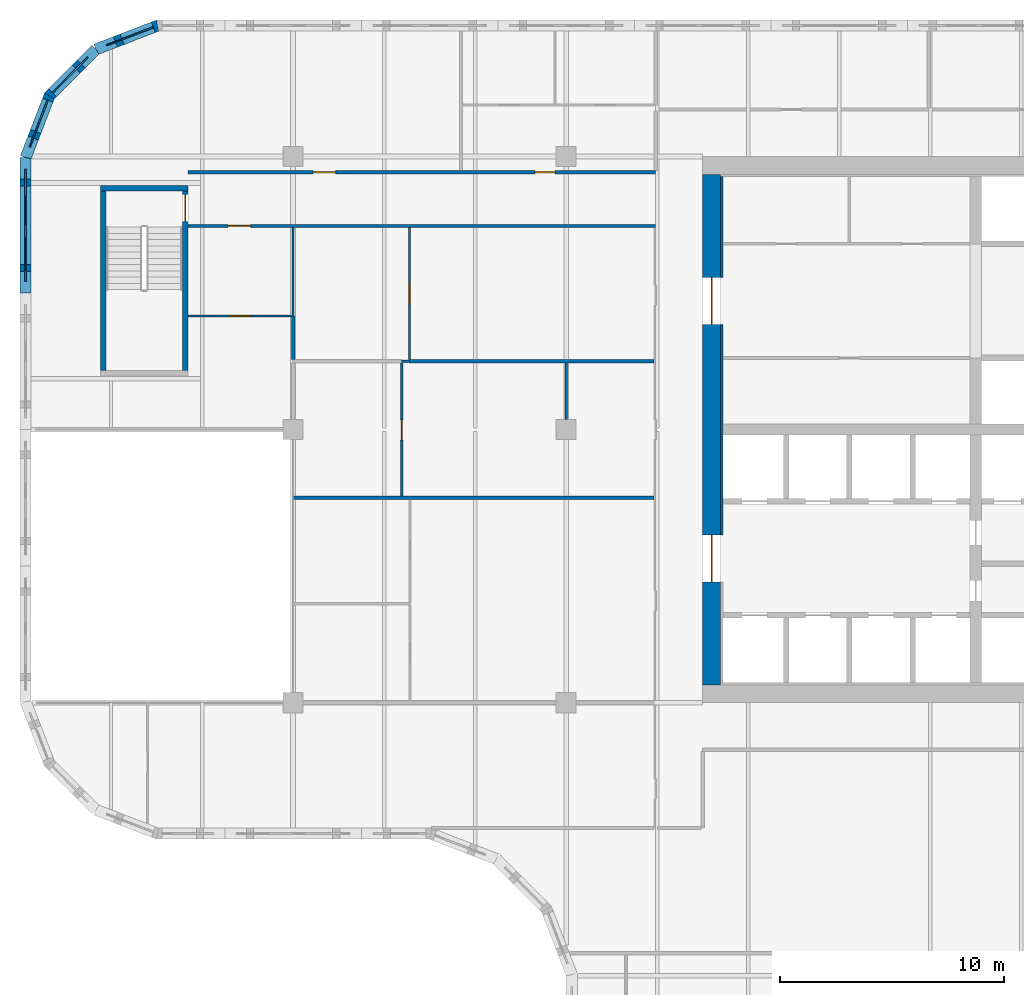
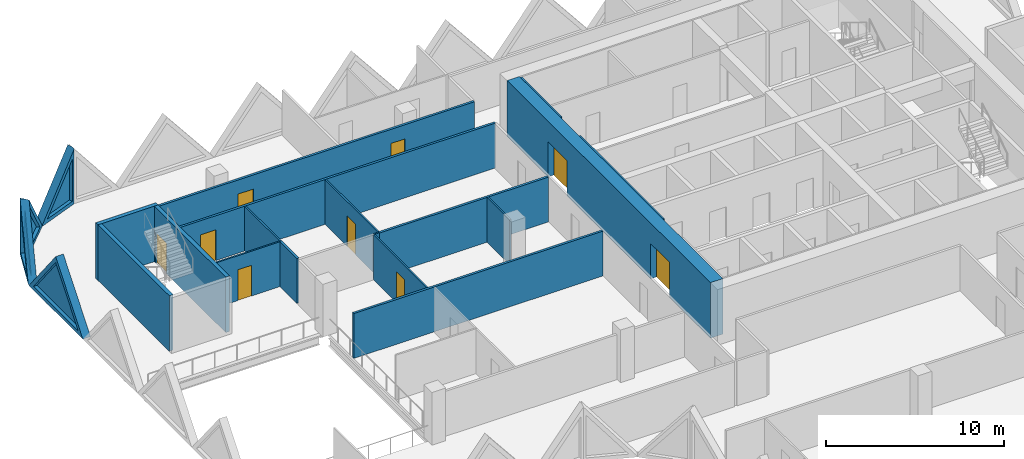
# One storey, part 8 of 19: 21 walls, 9 doors, 4 plates, 13 openings.
"""IFC4 building model written with IfcOpenShell, lengths in metres."""

from ifc_helpers import new_model, si_unit, direction, frame, frame_2d, origin, place, context, subcontext, project, spatial, polyline, rectangle, outline, extrude, faceted_brep, source, transform, mapped, material, layer, layer_set, type_object, element, fill, save


model = new_model("IFC4")

# Units and contexts
model_context = context("Model", 3, precision=1e-05, world=origin(), true_north=direction((0.0, 1.0)))
body_context = subcontext(model_context, "Body", "Model", "MODEL_VIEW")
ifc_project = project(units=[si_unit("LENGTHUNIT", "METRE"), si_unit("AREAUNIT", "SQUARE_METRE"), si_unit("VOLUMEUNIT", "CUBIC_METRE"), si_unit("PLANEANGLEUNIT", "RADIAN"), si_unit("MASSUNIT", "GRAM", prefix="KILO")], contexts=[model_context])

# Site, building, storey
site_placement = place(None, origin())
site = spatial("IfcSite", under=ifc_project, at=site_placement, CompositionType="ELEMENT")
building_placement = place(site_placement, origin())
building = spatial("IfcBuilding", under=site, at=building_placement, Name="Tessera Gate Towers", CompositionType="ELEMENT")
storey_placement = place(building_placement, frame((0.0, 0.0, 68.60009765625)))
storey = spatial("IfcBuildingStorey", under=building, at=storey_placement, Name="L16", CompositionType="ELEMENT", Elevation=68.60009765625)

# Walls
ifc_material_1 = material(Name="Concrete C40/50", Category="concrete")
ifc_layer_1 = layer(ifc_material_1, 0.25)
ifc_layer_set_1 = layer_set([ifc_layer_1], Name="CORE ENCLOSURE WALL 250")
wall_type_1 = type_object("IfcWallType", Name="CORE ENCLOSURE WALL 250", PredefinedType="SOLIDWALL", material=ifc_layer_set_1)
wall_1_placement = place(storey_placement, frame((3.72509765625, 39.25, 0.0), z_axis=(0.0, 0.0, 1.0), x_axis=(0.0, 1.0, 0.0)))
element("IfcWall", 1, at=wall_1_placement, inside=storey, type_object=wall_type_1, Name="L16 ST3 enclosure wall", PredefinedType="SOLIDWALL", context=body_context, shape_type="SweptSolid", body=[
    extrude(rectangle(XDim=8.0, YDim=0.25, at=frame_2d((4.0, 0.0))), origin(), (0.0, 0.0, 1.0), 3.7998046875),
])
wall_2_placement = place(storey_placement, frame((3.60009765625, 47.375, 0.0), z_axis=(0.0, 0.0, 1.0), x_axis=(1.0, 0.0, 0.0)))
element("IfcWall", 2, at=wall_2_placement, inside=storey, type_object=wall_type_1, Name="L16 ST3 enclosure wall", PredefinedType="SOLIDWALL", context=body_context, shape_type="SweptSolid", body=[
    extrude(rectangle(XDim=3.89990234375, YDim=0.25, at=frame_2d((1.949951171875, 0.0))), origin(), (0.0, 0.0, 1.0), 3.7998046875),
])

# Wall, opening, door
wall_3_placement = place(storey_placement, frame((7.375, 47.25, 0.0), z_axis=(0.0, 0.0, 1.0), x_axis=(0.0, -1.0, 0.0)))
wall_3 = element("IfcWall", 3, at=wall_3_placement, inside=storey, type_object=wall_type_1, Name="L16 ST3 enclosure wall", PredefinedType="SOLIDWALL", context=body_context, shape_type="SweptSolid", body=[
    extrude(rectangle(XDim=8.0, YDim=0.25, at=frame_2d((4.0, 0.0))), origin(), (0.0, 0.0, 1.0), 3.7998046875),
])
shared_shape_1 = source(origin(), body_context, "Body", "SweptSolid", [
    extrude(rectangle(XDim=1.199951171875, YDim=2.10009765625, at=frame_2d((0.60009765625, 1.050048828125))), frame((0.0, 0.135009765625, 0.0), z_axis=(0.0, -1.0, 0.0), x_axis=(1.0, 0.0, 0.0)), (0.0, 0.0, 1.0), 0.27001953125),
])
opening_1_placement = place(wall_3_placement, frame((0.14990234375, 0.0, 0.0)))
opening_1 = element("IfcOpeningElement", 4, at=opening_1_placement, cuts=wall_3, Name="Opening SD-ST3-1", PredefinedType="OPENING", context=body_context, shape_type="MappedRepresentation", body=[
    mapped(shared_shape_1, transform((0.0, 0.0, 0.0), scale=1.0)),
])
ifc_material_2 = material(Name="Hollow steel fire door", Category="steel")
door_type_1 = type_object("IfcDoorType", Name="CORE DOOR SD 1200x2100", OperationType="NOTDEFINED", PredefinedType="DOOR", material=ifc_material_2)
shared_shape_2 = source(origin(), body_context, "Body", "SweptSolid", [
    extrude(rectangle(XDim=1.199951171875, YDim=2.10009765625, at=frame_2d((0.60009765625, 1.050048828125))), frame((0.0, 0.02490234375, 0.0), z_axis=(0.0, -1.0, 0.0), x_axis=(1.0, 0.0, 0.0)), (0.0, 0.0, 1.0), 0.050048828125),
])
door_1_placement = place(opening_1_placement, origin())
door_1 = element("IfcDoor", 5, at=door_1_placement, inside=storey, type_object=door_type_1, Name="Stair door", OperationType="SINGLE_SWING_LEFT", OverallHeight=2.10009765625, OverallWidth=1.199951171875, PredefinedType="DOOR", context=body_context, shape_type="MappedRepresentation", body=[
    mapped(shared_shape_2, transform((0.0, 0.0, 0.0), scale=1.0)),
])
fill(opening_1, door_1)

# Wall, openings, doors
ifc_material_3 = material(Name="Concrete C60/75", Category="concrete")
ifc_layer_2 = layer(ifc_material_3, 0.800048828125)
ifc_layer_set_2 = layer_set([ifc_layer_2], Name="CORE SHEAR WALL 800 C60/75")
wall_type_2 = type_object("IfcWallType", Name="CORE SHEAR WALL 800 C60/75", PredefinedType="SHEAR", material=ifc_layer_set_2)
wall_4_placement = place(storey_placement, frame((30.89990234375, 25.199951171875, 0.0), z_axis=(0.0, 0.0, 1.0), x_axis=(0.0, 1.0, 0.0)))
wall_4 = element("IfcWall", 6, at=wall_4_placement, inside=storey, type_object=wall_type_2, Name="Core wall W L16", PredefinedType="SHEAR", context=body_context, shape_type="SweptSolid", body=[
    extrude(rectangle(XDim=22.800048828125, YDim=0.800048828125, at=frame_2d((11.39990234375, 0.0))), origin(), (0.0, 0.0, 1.0), 3.7998046875),
])
shared_shape_3 = source(origin(), body_context, "Body", "SweptSolid", [
    extrude(rectangle(XDim=2.10009765625, YDim=2.39990234375, at=frame_2d((1.050048828125, 1.199951171875))), frame((0.0, 0.409912109375, 0.0), z_axis=(0.0, -1.0, 0.0), x_axis=(1.0, 0.0, 0.0)), (0.0, 0.0, 1.0), 0.820068359375),
])
opening_2_placement = place(wall_4_placement, frame((4.60009765625, 0.0, 0.0)))
opening_2 = element("IfcOpeningElement", 7, at=opening_2_placement, cuts=wall_4, Name="Opening DD-T1-12-02", PredefinedType="OPENING", context=body_context, shape_type="MappedRepresentation", body=[
    mapped(shared_shape_3, transform((0.0, 0.0, 0.0), scale=1.0)),
])
opening_3_placement = place(wall_4_placement, frame((16.10009765625, 0.0, 0.0)))
opening_3 = element("IfcOpeningElement", 8, at=opening_3_placement, cuts=wall_4, Name="Opening DD-T1-12-03", PredefinedType="OPENING", context=body_context, shape_type="MappedRepresentation", body=[
    mapped(shared_shape_3, transform((0.0, 0.0, 0.0), scale=1.0)),
])
ifc_material_4 = material(Name="Hollow steel fire door", Category="steel")
door_type_2 = type_object("IfcDoorType", Name="CORE DOOR DD 2100x2400", OperationType="NOTDEFINED", PredefinedType="DOOR", material=ifc_material_4)
shared_shape_4 = source(origin(), body_context, "Body", "SweptSolid", [
    extrude(rectangle(XDim=2.10009765625, YDim=2.39990234375, at=frame_2d((1.050048828125, 1.199951171875))), frame((0.0, 0.02490234375, 0.0), z_axis=(0.0, -1.0, 0.0), x_axis=(1.0, 0.0, 0.0)), (0.0, 0.0, 1.0), 0.050048828125),
])
door_2_placement = place(opening_2_placement, origin())
door_2 = element("IfcDoor", 9, at=door_2_placement, inside=storey, type_object=door_type_2, Name="Core entrance door", OperationType="DOUBLE_DOOR_SINGLE_SWING", OverallHeight=2.39990234375, OverallWidth=2.10009765625, PredefinedType="DOOR", context=body_context, shape_type="MappedRepresentation", body=[
    mapped(shared_shape_4, transform((0.0, 0.0, 0.0), scale=1.0)),
])
fill(opening_2, door_2)
door_3_placement = place(opening_3_placement, origin())
door_3 = element("IfcDoor", 10, at=door_3_placement, inside=storey, type_object=door_type_2, Name="Core entrance door", OperationType="DOUBLE_DOOR_SINGLE_SWING", OverallHeight=2.39990234375, OverallWidth=2.10009765625, PredefinedType="DOOR", context=body_context, shape_type="MappedRepresentation", body=[
    mapped(shared_shape_4, transform((0.0, 0.0, 0.0), scale=1.0)),
])
fill(opening_3, door_3)

# Walls
ifc_material_5 = material(Name="Concrete C60/75", Category="concrete")
ifc_layer_3 = layer(ifc_material_5, 0.10009765625)
ifc_layer_set_3 = layer_set([ifc_layer_3], Name="CORE WALL THICKENING 100")
wall_type_3 = type_object("IfcWallType", Name="CORE WALL THICKENING 100", PredefinedType="SOLIDWALL", material=ifc_layer_set_3)
wall_5_placement = place(storey_placement, frame((31.35009765625, 31.89990234375, 0.0), z_axis=(0.0, 0.0, 1.0), x_axis=(0.0, 1.0, 0.0)))
element("IfcWall", 11, at=wall_5_placement, inside=storey, type_object=wall_type_3, Name="Core wall thickening W L16", PredefinedType="SOLIDWALL", context=body_context, shape_type="SweptSolid", body=[
    extrude(rectangle(XDim=9.400146484375, YDim=0.10009765625, at=frame_2d((4.7001953125, 0.0))), origin(), (0.0, 0.0, 1.0), 3.7998046875),
])
wall_6_placement = place(storey_placement, frame((31.35009765625, 43.39990234375, 0.0), z_axis=(0.0, 0.0, 1.0), x_axis=(0.0, 1.0, 0.0)))
element("IfcWall", 12, at=wall_6_placement, inside=storey, type_object=wall_type_3, Name="Core wall thickening W L16", PredefinedType="SOLIDWALL", context=body_context, shape_type="SweptSolid", body=[
    extrude(rectangle(XDim=4.5, YDim=0.10009765625, at=frame_2d((2.25, 0.0))), origin(), (0.0, 0.0, 1.0), 3.7998046875),
])

# Wall, opening, door
ifc_material_6 = material(Name="Gypsum board on steel studs, mineral wool", Category="steel")
ifc_layer_4 = layer(ifc_material_6, 0.14990234375)
ifc_layer_set_4 = layer_set([ifc_layer_4], Name="CORRIDOR WALL 150")
wall_type_4 = type_object("IfcWallType", Name="CORRIDOR WALL 150", PredefinedType="PARTITIONING", material=ifc_layer_set_4)
wall_7_placement = place(storey_placement, frame((28.39990234375, 45.699951171875, 0.0), z_axis=(0.0, 0.0, 1.0), x_axis=(-1.0, 0.0, 0.0)))
wall_7 = element("IfcWall", 13, at=wall_7_placement, inside=storey, type_object=wall_type_4, Name="T1-L16-PW-042", PredefinedType="PARTITIONING", context=body_context, shape_type="SweptSolid", body=[
    extrude(rectangle(XDim=20.89990234375, YDim=0.14990234375, at=frame_2d((10.449951171875, 0.0))), origin(), (0.0, 0.0, 1.0), 3.06689453125),
])
shared_shape_5 = source(origin(), body_context, "Body", "SweptSolid", [
    extrude(rectangle(XDim=1.0, YDim=2.10009765625, at=frame_2d((0.5, 1.050048828125))), frame((0.0, 0.0849609375, 0.0), z_axis=(0.0, -1.0, 0.0), x_axis=(1.0, 0.0, 0.0)), (0.0, 0.0, 1.0), 0.169921875),
])
opening_4_placement = place(wall_7_placement, frame((18.10009765625, 0.0, 0.0)))
opening_4 = element("IfcOpeningElement", 14, at=opening_4_placement, cuts=wall_7, Name="Opening D2100FD60-A06-01", PredefinedType="OPENING", context=body_context, shape_type="MappedRepresentation", body=[
    mapped(shared_shape_5, transform((0.0, 0.0, 0.0), scale=1.0)),
])
ifc_material_7 = material(Name="Timber door leaf in steel frame", Category="steel")
door_type_3 = type_object("IfcDoorType", Name="TENANCY ENTRANCE DOOR 1000 FD60", OperationType="NOTDEFINED", PredefinedType="DOOR", material=ifc_material_7)
shared_shape_6 = source(origin(), body_context, "Body", "SweptSolid", [
    extrude(rectangle(XDim=1.0, YDim=2.10009765625, at=frame_2d((0.5, 1.050048828125))), frame((0.0, 0.02490234375, 0.0), z_axis=(0.0, -1.0, 0.0), x_axis=(1.0, 0.0, 0.0)), (0.0, 0.0, 1.0), 0.050048828125),
])
door_4_placement = place(opening_4_placement, origin())
door_4 = element("IfcDoor", 15, at=door_4_placement, inside=storey, type_object=door_type_3, Name="T1-L16-PD-010", OperationType="SINGLE_SWING_RIGHT", OverallHeight=2.10009765625, OverallWidth=1.0, PredefinedType="DOOR", context=body_context, shape_type="MappedRepresentation", body=[
    mapped(shared_shape_6, transform((0.0, 0.0, 0.0), scale=1.0)),
])
fill(opening_4, door_4)

# Wall, openings, doors
wall_8_placement = place(storey_placement, frame((7.5, 48.10009765625, 0.0), z_axis=(0.0, 0.0, 1.0), x_axis=(1.0, 0.0, 0.0)))
wall_8 = element("IfcWall", 16, at=wall_8_placement, inside=storey, type_object=wall_type_4, Name="T1-L16-PW-043", PredefinedType="PARTITIONING", context=body_context, shape_type="SweptSolid", body=[
    extrude(rectangle(XDim=20.89990234375, YDim=0.14990234375, at=frame_2d((10.449951171875, 0.0))), origin(), (0.0, 0.0, 1.0), 3.06689453125),
])
shared_shape_7 = source(origin(), body_context, "Body", "SweptSolid", [
    extrude(rectangle(XDim=0.89990234375, YDim=2.10009765625, at=frame_2d((0.449951171875, 1.050048828125))), frame((0.0, 0.0849609375, 0.0), z_axis=(0.0, -1.0, 0.0), x_axis=(1.0, 0.0, 0.0)), (0.0, 0.0, 1.0), 0.169921875),
])
opening_5_placement = place(wall_8_placement, frame((15.5009765625, 0.0, 0.0)))
opening_5 = element("IfcOpeningElement", 17, at=opening_5_placement, cuts=wall_8, Name="Opening D890FD60-A06-06", PredefinedType="OPENING", context=body_context, shape_type="MappedRepresentation", body=[
    mapped(shared_shape_7, transform((0.0, 0.0, 0.0), scale=1.0)),
])
opening_6_placement = place(wall_8_placement, frame((5.60009765625, 0.0, 0.0)))
opening_6 = element("IfcOpeningElement", 18, at=opening_6_placement, cuts=wall_8, Name="Opening D2100FD60-A06-03", PredefinedType="OPENING", context=body_context, shape_type="MappedRepresentation", body=[
    mapped(shared_shape_5, transform((0.0, 0.0, 0.0), scale=1.0)),
])
ifc_material_8 = material(Name="Timber door leaf in steel frame", Category="steel")
door_type_4 = type_object("IfcDoorType", Name="CORRIDOR DOOR 900 FD60", OperationType="NOTDEFINED", PredefinedType="DOOR", material=ifc_material_8)
shared_shape_8 = source(origin(), body_context, "Body", "SweptSolid", [
    extrude(rectangle(XDim=0.89990234375, YDim=2.10009765625, at=frame_2d((0.449951171875, 1.050048828125))), frame((0.0, 0.02490234375, 0.0), z_axis=(0.0, -1.0, 0.0), x_axis=(1.0, 0.0, 0.0)), (0.0, 0.0, 1.0), 0.050048828125),
])
door_5_placement = place(opening_5_placement, origin())
door_5 = element("IfcDoor", 19, at=door_5_placement, inside=storey, type_object=door_type_4, Name="T1-L16-PD-020", OperationType="SINGLE_SWING_LEFT", OverallHeight=2.10009765625, OverallWidth=0.89990234375, PredefinedType="DOOR", context=body_context, shape_type="MappedRepresentation", body=[
    mapped(shared_shape_8, transform((0.0, 0.0, 0.0), scale=1.0)),
])
fill(opening_5, door_5)
door_6_placement = place(opening_6_placement, origin())
door_6 = element("IfcDoor", 20, at=door_6_placement, inside=storey, type_object=door_type_3, Name="T1-L16-PD-026", OperationType="SINGLE_SWING_LEFT", OverallHeight=2.10009765625, OverallWidth=1.0, PredefinedType="DOOR", context=body_context, shape_type="MappedRepresentation", body=[
    mapped(shared_shape_6, transform((0.0, 0.0, 0.0), scale=1.0)),
])
fill(opening_6, door_6)

# Wall
ifc_material_9 = material(Name="Glass", Category="glass")
ifc_layer_5 = layer(ifc_material_9, 0.10009765625)
ifc_layer_set_5 = layer_set([ifc_layer_5], Name="GLAZED PARTITION 100")
wall_type_5 = type_object("IfcWallType", Name="GLAZED PARTITION 100", PredefinedType="PARTITIONING", material=ifc_layer_set_5)
wall_9_placement = place(storey_placement, frame((17.051025390625, 39.64990234375, 0.0), z_axis=(0.0, 0.0, 1.0), x_axis=(1.0, 0.0, 0.0)))
element("IfcWall", 21, at=wall_9_placement, inside=storey, type_object=wall_type_5, Name="T1-L16-PW-036", PredefinedType="PARTITIONING", context=body_context, shape_type="SweptSolid", body=[
    extrude(rectangle(XDim=0.347900390625, YDim=0.10009765625, at=frame_2d((0.173828125, 0.0))), origin(), (0.0, 0.0, 1.0), 3.06689453125),
])

# Wall, opening, door
wall_10_placement = place(storey_placement, frame((17.39990234375, 39.72607421875, 0.0), z_axis=(0.0, 0.0, 1.0), x_axis=(0.0, 1.0, 0.0)))
wall_10 = element("IfcWall", 22, at=wall_10_placement, inside=storey, type_object=wall_type_5, Name="T1-L16-PW-039", PredefinedType="PARTITIONING", context=body_context, shape_type="SweptSolid", body=[
    extrude(rectangle(XDim=5.89794921875, YDim=0.10009765625, at=frame_2d((2.948974609375, 0.0))), origin(), (0.0, 0.0, 1.0), 3.06689453125),
])
shared_shape_9 = source(origin(), body_context, "Body", "SweptSolid", [
    extrude(rectangle(XDim=0.89990234375, YDim=2.10009765625, at=frame_2d((0.449951171875, 1.050048828125))), frame((0.0, 0.06005859375, 0.0), z_axis=(0.0, -1.0, 0.0), x_axis=(1.0, 0.0, 0.0)), (0.0, 0.0, 1.0), 0.1201171875),
])
opening_7_placement = place(wall_10_placement, frame((2.5, 0.0, 0.0)))
opening_7 = element("IfcOpeningElement", 23, at=opening_7_placement, cuts=wall_10, Name="Opening D690-A06-06", PredefinedType="OPENING", context=body_context, shape_type="MappedRepresentation", body=[
    mapped(shared_shape_9, transform((0.0, 0.0, 0.0), scale=1.0)),
])
ifc_material_10 = material(Name="Glass in aluminium frame", Category="aluminium")
door_type_5 = type_object("IfcDoorType", Name="GLAZED DOOR 900 NOT RATED", OperationType="NOTDEFINED", PredefinedType="DOOR", material=ifc_material_10)
door_7_placement = place(opening_7_placement, origin())
door_7 = element("IfcDoor", 24, at=door_7_placement, inside=storey, type_object=door_type_5, Name="T1-L16-PD-015", OperationType="SINGLE_SWING_LEFT", OverallHeight=2.10009765625, OverallWidth=0.89990234375, PredefinedType="DOOR", context=body_context, shape_type="MappedRepresentation", body=[
    mapped(shared_shape_8, transform((0.0, 0.0, 0.0), scale=1.0)),
])
fill(opening_7, door_7)

wall_11_placement = place(storey_placement, frame((12.1240234375, 41.675048828125, 0.0), z_axis=(0.0, 0.0, 1.0), x_axis=(-1.0, 0.0, 0.0)))
wall_11 = element("IfcWall", 25, at=wall_11_placement, inside=storey, type_object=wall_type_5, Name="T1-L16-PW-040", PredefinedType="PARTITIONING", context=body_context, shape_type="SweptSolid", body=[
    extrude(rectangle(XDim=4.6240234375, YDim=0.10009765625, at=frame_2d((2.31201171875, 0.0))), origin(), (0.0, 0.0, 1.0), 3.06689453125),
])
opening_8_placement = place(wall_11_placement, frame((1.823974609375, 0.0, 0.0)))
opening_8 = element("IfcOpeningElement", 26, at=opening_8_placement, cuts=wall_11, Name="Opening D690-A06-03", PredefinedType="OPENING", context=body_context, shape_type="MappedRepresentation", body=[
    mapped(shared_shape_9, transform((0.0, 0.0, 0.0), scale=1.0)),
])
door_8_placement = place(opening_8_placement, origin())
door_8 = element("IfcDoor", 27, at=door_8_placement, inside=storey, type_object=door_type_5, Name="T1-L16-PD-009", OperationType="SINGLE_SWING_RIGHT", OverallHeight=2.10009765625, OverallWidth=0.89990234375, PredefinedType="DOOR", context=body_context, shape_type="MappedRepresentation", body=[
    mapped(shared_shape_8, transform((0.0, 0.0, 0.0), scale=1.0)),
])
fill(opening_8, door_8)

# Wall
wall_12_placement = place(storey_placement, frame((12.199951171875, 41.676025390625, 0.0), z_axis=(0.0, 0.0, 1.0), x_axis=(0.0, 1.0, 0.0)))
element("IfcWall", 28, at=wall_12_placement, inside=storey, type_object=wall_type_5, Name="T1-L16-PW-041", PredefinedType="PARTITIONING", context=body_context, shape_type="SweptSolid", body=[
    extrude(rectangle(XDim=3.947998046875, YDim=0.10009765625, at=frame_2d((1.97412109375, 0.0))), origin(), (0.0, 0.0, 1.0), 3.06689453125),
])

# Wall, opening, door
ifc_material_11 = material(Name="Gypsum board on steel studs", Category="steel")
ifc_layer_6 = layer(ifc_material_11, 0.10009765625)
ifc_layer_set_6 = layer_set([ifc_layer_6], Name="PARTITION 100")
wall_type_6 = type_object("IfcWallType", Name="PARTITION 100", PredefinedType="PARTITIONING", material=ifc_layer_set_6)
wall_13_placement = place(storey_placement, frame((17.050048828125, 33.6259765625, 0.0), z_axis=(0.0, 0.0, 1.0), x_axis=(0.0, 1.0, 0.0)))
wall_13 = element("IfcWall", 29, at=wall_13_placement, inside=storey, type_object=wall_type_6, Name="T1-L16-PW-032", PredefinedType="PARTITIONING", context=body_context, shape_type="SweptSolid", body=[
    extrude(rectangle(XDim=5.947998046875, YDim=0.10009765625, at=frame_2d((2.97412109375, 0.0))), origin(), (0.0, 0.0, 1.0), 3.06689453125),
])
opening_9_placement = place(wall_13_placement, frame((2.5, 0.0, 0.0)))
opening_9 = element("IfcOpeningElement", 30, at=opening_9_placement, cuts=wall_13, Name="Opening D190-A06-07", PredefinedType="OPENING", context=body_context, shape_type="MappedRepresentation", body=[
    mapped(shared_shape_9, transform((0.0, 0.0, 0.0), scale=1.0)),
])
ifc_material_12 = material(Name="Timber door leaf in steel frame", Category="steel")
door_type_6 = type_object("IfcDoorType", Name="INTERNAL DOOR 900 NOT RATED", OperationType="NOTDEFINED", PredefinedType="DOOR", material=ifc_material_12)
door_9_placement = place(opening_9_placement, origin())
door_9 = element("IfcDoor", 31, at=door_9_placement, inside=storey, type_object=door_type_6, Name="T1-L16-PD-016", OperationType="SINGLE_SWING_LEFT", OverallHeight=2.10009765625, OverallWidth=0.89990234375, PredefinedType="DOOR", context=body_context, shape_type="MappedRepresentation", body=[
    mapped(shared_shape_8, transform((0.0, 0.0, 0.0), scale=1.0)),
])
fill(opening_9, door_9)

# Walls
wall_14_placement = place(storey_placement, frame((24.39990234375, 37.050048828125, 0.0), z_axis=(0.0, 0.0, 1.0), x_axis=(0.0, 1.0, 0.0)))
element("IfcWall", 32, at=wall_14_placement, inside=storey, type_object=wall_type_6, Name="T1-L16-PW-034", PredefinedType="PARTITIONING", context=body_context, shape_type="SweptSolid", body=[
    extrude(rectangle(XDim=2.52490234375, YDim=0.10009765625, at=frame_2d((1.262451171875, 0.0))), origin(), (0.0, 0.0, 1.0), 3.06689453125),
])
ifc_material_13 = material(Name="Gypsum board on steel studs, mineral wool", Category="steel")
ifc_layer_7 = layer(ifc_material_13, 0.14990234375)
ifc_layer_set_7 = layer_set([ifc_layer_7], Name="TENANCY WALL 150")
wall_type_7 = type_object("IfcWallType", Name="TENANCY WALL 150", PredefinedType="PARTITIONING", material=ifc_layer_set_7)
wall_15_placement = place(storey_placement, frame((12.199951171875, 33.550048828125, 0.0), z_axis=(0.0, 0.0, 1.0), x_axis=(1.0, 0.0, 0.0)))
element("IfcWall", 33, at=wall_15_placement, inside=storey, type_object=wall_type_7, Name="T1-L16-PW-031", PredefinedType="PARTITIONING", context=body_context, shape_type="SweptSolid", body=[
    extrude(rectangle(XDim=16.1240234375, YDim=0.14990234375, at=frame_2d((8.06201171875, 0.0))), origin(), (0.0, 0.0, 1.0), 3.06689453125),
])
wall_16_placement = place(storey_placement, frame((17.39990234375, 39.64990234375, 0.0), z_axis=(0.0, 0.0, 1.0), x_axis=(1.0, 0.0, 0.0)))
element("IfcWall", 34, at=wall_16_placement, inside=storey, type_object=wall_type_7, Name="T1-L16-PW-037", PredefinedType="PARTITIONING", context=body_context, shape_type="SweptSolid", body=[
    extrude(rectangle(XDim=10.924072265625, YDim=0.14990234375, at=frame_2d((5.4619140625, 0.0))), origin(), (0.0, 0.0, 1.0), 3.06689453125),
])
wall_17_placement = place(storey_placement, frame((12.199951171875, 39.72607421875, 0.0), z_axis=(0.0, 0.0, 1.0), x_axis=(0.0, 1.0, 0.0)))
element("IfcWall", 35, at=wall_17_placement, inside=storey, type_object=wall_type_7, Name="T1-L16-PW-038", PredefinedType="PARTITIONING", context=body_context, shape_type="SweptSolid", body=[
    extrude(rectangle(XDim=1.948974609375, YDim=0.14990234375, at=frame_2d((0.974609375, 0.0))), origin(), (0.0, 0.0, 1.0), 3.06689453125),
])

# Wall, opening, plate
ifc_material_14 = material(Name="Precast concrete C60/75 white", Category="concrete")
ifc_layer_8 = layer(ifc_material_14, 0.5)
ifc_layer_set_8 = layer_set([ifc_layer_8], Name="TS3 corner tessera")
wall_type_8 = type_object("IfcWallType", Name="TS3 corner tessera", PredefinedType="SOLIDWALL", material=ifc_layer_set_8)
shared_shape_10 = source(origin(), body_context, "Body", "Brep", [
    faceted_brep([(2.9970703125, -0.25, 0.0), (0.046630859375, -0.25, 3.7998046875), (0.0, -0.25, 3.740966796875), (0.0, -0.25, 0.0), (0.09326171875, 0.25, 3.73974609375), (2.9443359375, 0.25, 0.068115234375), (2.9443359375, 0.25, 0.0), (0.09326171875, 0.25, 0.0), (0.046630859375, 0.0, 3.7998046875), (2.9970703125, 0.00048828125, 0.0)], [[[0, 1, 2, 3]], [[4, 5, 6, 7]], [[5, 4, 8, 1, 0, 9]], [[2, 1, 8]], [[7, 6, 9, 0, 3]], [[7, 3, 2, 8, 4]], [[9, 6, 5]]]),
])
wall_18_placement = place(storey_placement, frame((6.18994140625, 54.666748046875, 0.0), z_axis=(0.0, 0.0, 1.0), x_axis=(-0.932990326376, -0.359901446078, 0.0)))
wall_18 = element("IfcWall", 36, at=wall_18_placement, inside=storey, type_object=wall_type_8, Name="Precast corner tessera T1 TS3-0348", PredefinedType="SOLIDWALL", context=body_context, shape_type="MappedRepresentation", body=[
    mapped(shared_shape_10, transform((0.0, 0.0, 0.0), scale=1.0)),
])
shared_shape_11 = source(origin(), body_context, "Body", "SweptSolid", [
    extrude(outline(polyline([(2.486572265625, 0.25), (0.24658203125, 3.134765625), (0.24658203125, 0.25), (2.486572265625, 0.25)])), frame((0.0, 0.260009765625, 0.0), z_axis=(0.0, -1.0, 0.0), x_axis=(1.0, 0.0, 0.0)), (0.0, 0.0, 1.0), 0.52001953125),
])
opening_10_placement = place(wall_18_placement, origin())
opening_10 = element("IfcOpeningElement", 37, at=opening_10_placement, cuts=wall_18, Name="Opening T1-PL1-0216", PredefinedType="OPENING", context=body_context, shape_type="MappedRepresentation", body=[
    mapped(shared_shape_11, transform((0.0, 0.0, 0.0), scale=1.0)),
])
ifc_material_15 = material(Name="Low-e laminated glass", Category="glass")
ifc_layer_9 = layer(ifc_material_15, 0.06005859375)
ifc_layer_set_9 = layer_set([ifc_layer_9], Name="PL1 triangular pane")
plate_type = type_object("IfcPlateType", Name="PL1 triangular pane", PredefinedType="SHEET", material=ifc_layer_set_9)
shared_shape_12 = source(origin(), body_context, "Body", "SweptSolid", [
    extrude(outline(polyline([(2.486572265625, 0.25), (0.24658203125, 3.134765625), (0.24658203125, 0.25), (2.486572265625, 0.25)])), frame((0.0, 0.030029296875, 0.0), z_axis=(0.0, -1.0, 0.0), x_axis=(1.0, 0.0, 0.0)), (0.0, 0.0, 1.0), 0.06005859375),
])
plate_1_placement = place(opening_10_placement, origin())
plate_1 = element("IfcPlate", 38, at=plate_1_placement, inside=storey, type_object=plate_type, Name="Glass pane T1 PL1-0216", PredefinedType="SHEET", context=body_context, shape_type="MappedRepresentation", body=[
    mapped(shared_shape_12, transform((0.0, 0.0, 0.0), scale=1.0)),
])
fill(opening_10, plate_1)

shared_shape_13 = source(origin(), body_context, "Body", "Brep", [
    faceted_brep([(3.00341796875, -0.25, 0.0), (0.052978515625, -0.25, 3.7998046875), (0.0, -0.25, 3.7314453125), (0.0, -0.25, 0.0), (0.10595703125, 0.25, 3.731689453125), (2.95703125, 0.25, 0.059814453125), (2.95703125, 0.25, 0.0), (0.10595703125, 0.25, 0.0), (0.052978515625, 0.0, 3.7998046875), (3.00341796875, 0.00048828125, 0.0)], [[[0, 1, 2, 3]], [[4, 5, 6, 7]], [[5, 4, 8, 1, 0, 9]], [[2, 1, 8]], [[7, 6, 9, 0, 3]], [[7, 3, 2, 8, 4]], [[9, 6, 5]]]),
])
wall_19_placement = place(storey_placement, frame((1.3310546875, 51.5556640625, 0.0), z_axis=(0.0, 0.0, 1.0), x_axis=(-0.35992665181, -0.932980602862, 0.0)))
wall_19 = element("IfcWall", 39, at=wall_19_placement, inside=storey, type_object=wall_type_8, Name="Precast corner tessera T1 TS3-0350", PredefinedType="SOLIDWALL", context=body_context, shape_type="MappedRepresentation", body=[
    mapped(shared_shape_13, transform((0.0, 0.0, 0.0), scale=1.0)),
])
shared_shape_14 = source(origin(), body_context, "Body", "SweptSolid", [
    extrude(outline(polyline([(2.492919921875, 0.25), (0.2529296875, 3.134765625), (0.2529296875, 0.25), (2.492919921875, 0.25)])), frame((0.0, 0.260009765625, 0.0), z_axis=(0.0, -1.0, 0.0), x_axis=(1.0, 0.0, 0.0)), (0.0, 0.0, 1.0), 0.52001953125),
])
opening_11_placement = place(wall_19_placement, origin())
opening_11 = element("IfcOpeningElement", 40, at=opening_11_placement, cuts=wall_19, Name="Opening T1-PL1-0218", PredefinedType="OPENING", context=body_context, shape_type="MappedRepresentation", body=[
    mapped(shared_shape_14, transform((0.0, 0.0, 0.0), scale=1.0)),
])
shared_shape_15 = source(origin(), body_context, "Body", "SweptSolid", [
    extrude(outline(polyline([(2.492919921875, 0.25), (0.2529296875, 3.134765625), (0.2529296875, 0.25), (2.492919921875, 0.25)])), frame((0.0, 0.030029296875, 0.0), z_axis=(0.0, -1.0, 0.0), x_axis=(1.0, 0.0, 0.0)), (0.0, 0.0, 1.0), 0.06005859375),
])
plate_2_placement = place(opening_11_placement, origin())
plate_2 = element("IfcPlate", 41, at=plate_2_placement, inside=storey, type_object=plate_type, Name="Glass pane T1 PL1-0218", PredefinedType="SHEET", context=body_context, shape_type="MappedRepresentation", body=[
    mapped(shared_shape_15, transform((0.0, 0.0, 0.0), scale=1.0)),
])
fill(opening_11, plate_2)

ifc_material_16 = material(Name="Precast concrete C60/75 white", Category="concrete")
ifc_layer_10 = layer(ifc_material_16, 0.5)
ifc_layer_set_10 = layer_set([ifc_layer_10], Name="TS2 half tessera")
wall_type_9 = type_object("IfcWallType", Name="TS2 half tessera", PredefinedType="SOLIDWALL", material=ifc_layer_set_10)
shared_shape_16 = source(origin(), body_context, "Body", "Brep", [
    faceted_brep([(6.053466796875, -0.25, 0.0), (3.00341796875, -0.25, 3.7998046875), (0.0, -0.25, 0.0), (0.046630859375, 0.25, 0.058837890625), (3.00341796875, 0.25, 3.7998046875), (6.053466796875, 0.25, 0.0), (0.046630859375, 0.25, 0.0), (0.0, 0.0, 0.0)], [[[0, 1, 2]], [[3, 4, 5, 6]], [[5, 4, 1, 0]], [[4, 3, 7, 2, 1]], [[6, 5, 0, 2, 7]], [[6, 7, 3]]]),
])
wall_20_placement = place(storey_placement, frame((0.25, 48.75341796875, 0.0), z_axis=(0.0, 0.0, 1.0), x_axis=(0.0, -1.0, 0.0)))
wall_20 = element("IfcWall", 42, at=wall_20_placement, inside=storey, type_object=wall_type_9, Name="Precast half tessera T1 TS2-0109", PredefinedType="SOLIDWALL", context=body_context, shape_type="MappedRepresentation", body=[
    mapped(shared_shape_16, transform((0.0, 0.0, 0.0), scale=1.0)),
])
shared_shape_17 = source(origin(), body_context, "Body", "SweptSolid", [
    extrude(outline(polyline([(5.5322265625, 0.25), (3.0048828125, 3.398681640625), (0.516357421875, 0.25), (5.5322265625, 0.25)])), frame((0.0, 0.260009765625, 0.0), z_axis=(0.0, -1.0, 0.0), x_axis=(1.0, 0.0, 0.0)), (0.0, 0.0, 1.0), 0.52001953125),
])
opening_12_placement = place(wall_20_placement, origin())
opening_12 = element("IfcOpeningElement", 43, at=opening_12_placement, cuts=wall_20, Name="Opening T1-PL1-0219", PredefinedType="OPENING", context=body_context, shape_type="MappedRepresentation", body=[
    mapped(shared_shape_17, transform((0.0, 0.0, 0.0), scale=1.0)),
])
shared_shape_18 = source(origin(), body_context, "Body", "SweptSolid", [
    extrude(outline(polyline([(5.5322265625, 0.25), (3.0048828125, 3.398681640625), (0.516357421875, 0.25), (5.5322265625, 0.25)])), frame((0.0, 0.030029296875, 0.0), z_axis=(0.0, -1.0, 0.0), x_axis=(1.0, 0.0, 0.0)), (0.0, 0.0, 1.0), 0.06005859375),
])
plate_3_placement = place(opening_12_placement, origin())
plate_3 = element("IfcPlate", 44, at=plate_3_placement, inside=storey, type_object=plate_type, Name="Glass pane T1 PL1-0219", PredefinedType="SHEET", context=body_context, shape_type="MappedRepresentation", body=[
    mapped(shared_shape_18, transform((0.0, 0.0, 0.0), scale=1.0)),
])
fill(opening_12, plate_3)

shared_shape_19 = source(origin(), body_context, "Body", "Brep", [
    faceted_brep([(2.9970703125, -0.25, 3.731689453125), (2.944091796875, -0.25, 3.7998046875), (0.0, -0.25, 0.0), (2.9970703125, -0.25, 0.0), (0.052978515625, 0.25, 0.068359375), (2.89111328125, 0.25, 3.731689453125), (2.89111328125, 0.25, 0.0), (0.052978515625, 0.25, 0.0), (2.944091796875, 0.000244140625, 3.7998046875), (0.0, 0.0, 0.0)], [[[0, 1, 2, 3]], [[4, 5, 6, 7]], [[8, 1, 0]], [[5, 4, 9, 2, 1, 8]], [[7, 6, 3, 2, 9]], [[7, 9, 4]], [[3, 6, 5, 8, 0]]]),
])
wall_21_placement = place(storey_placement, frame((3.393798828125, 53.588134765625, 0.0), z_axis=(0.0, 0.0, 1.0), x_axis=(-0.707106781187, -0.707106781187, 0.0)))
wall_21 = element("IfcWall", 45, at=wall_21_placement, inside=storey, type_object=wall_type_8, Name="Precast corner tessera T1 TS3-0349", PredefinedType="SOLIDWALL", context=body_context, shape_type="MappedRepresentation", body=[
    mapped(shared_shape_19, transform((0.0, 0.0, 0.0), scale=1.0)),
])
shared_shape_20 = source(origin(), body_context, "Body", "SweptSolid", [
    extrude(outline(polyline([(2.744140625, 3.133544921875), (0.510009765625, 0.25), (2.744140625, 0.25), (2.744140625, 3.133544921875)])), frame((0.0, 0.260009765625, 0.0), z_axis=(0.0, -1.0, 0.0), x_axis=(1.0, 0.0, 0.0)), (0.0, 0.0, 1.0), 0.52001953125),
])
opening_13_placement = place(wall_21_placement, origin())
opening_13 = element("IfcOpeningElement", 46, at=opening_13_placement, cuts=wall_21, Name="Opening T1-PL1-0217", PredefinedType="OPENING", context=body_context, shape_type="MappedRepresentation", body=[
    mapped(shared_shape_20, transform((0.0, 0.0, 0.0), scale=1.0)),
])
shared_shape_21 = source(origin(), body_context, "Body", "SweptSolid", [
    extrude(outline(polyline([(2.744140625, 3.133544921875), (0.510009765625, 0.25), (2.744140625, 0.25), (2.744140625, 3.133544921875)])), frame((0.0, 0.030029296875, 0.0), z_axis=(0.0, -1.0, 0.0), x_axis=(1.0, 0.0, 0.0)), (0.0, 0.0, 1.0), 0.06005859375),
])
plate_4_placement = place(opening_13_placement, origin())
plate_4 = element("IfcPlate", 47, at=plate_4_placement, inside=storey, type_object=plate_type, Name="Glass pane T1 PL1-0217", PredefinedType="SHEET", context=body_context, shape_type="MappedRepresentation", body=[
    mapped(shared_shape_21, transform((0.0, 0.0, 0.0), scale=1.0)),
])
fill(opening_13, plate_4)

save(model, "model.ifc")
